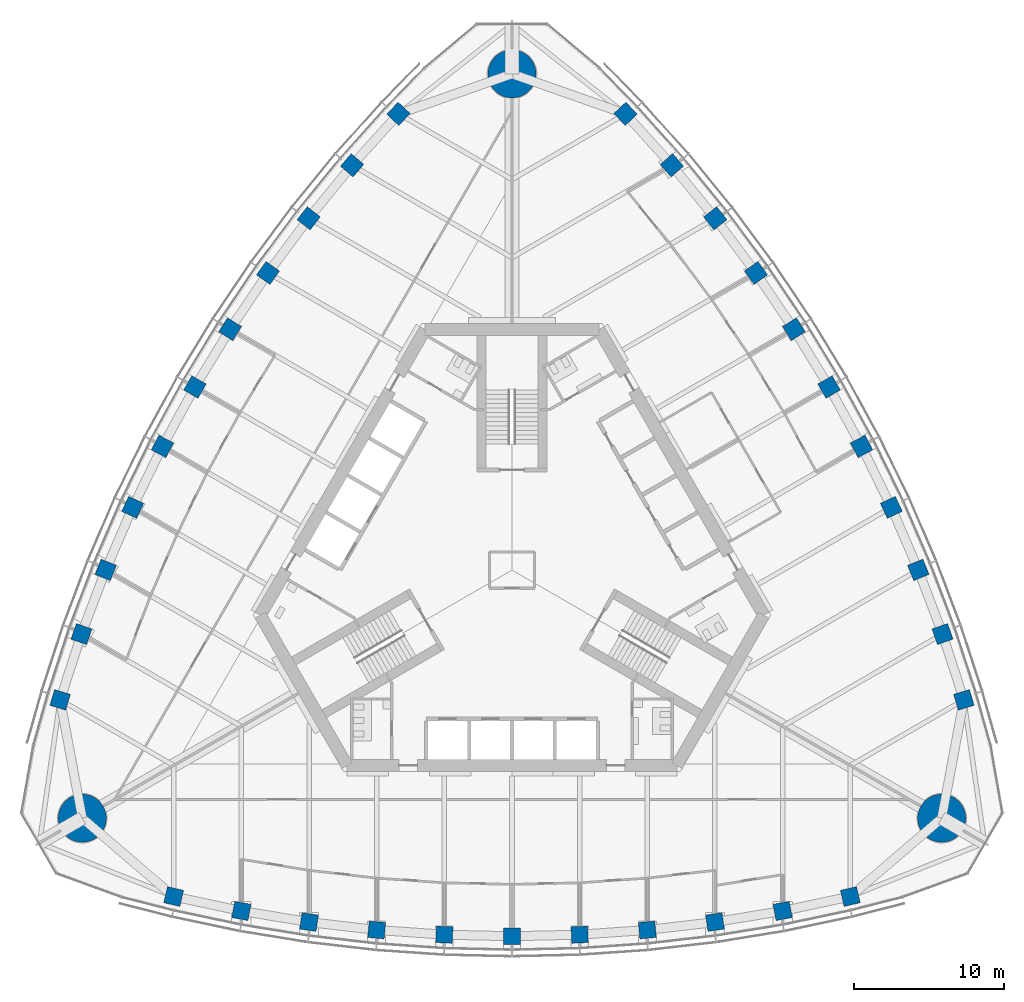
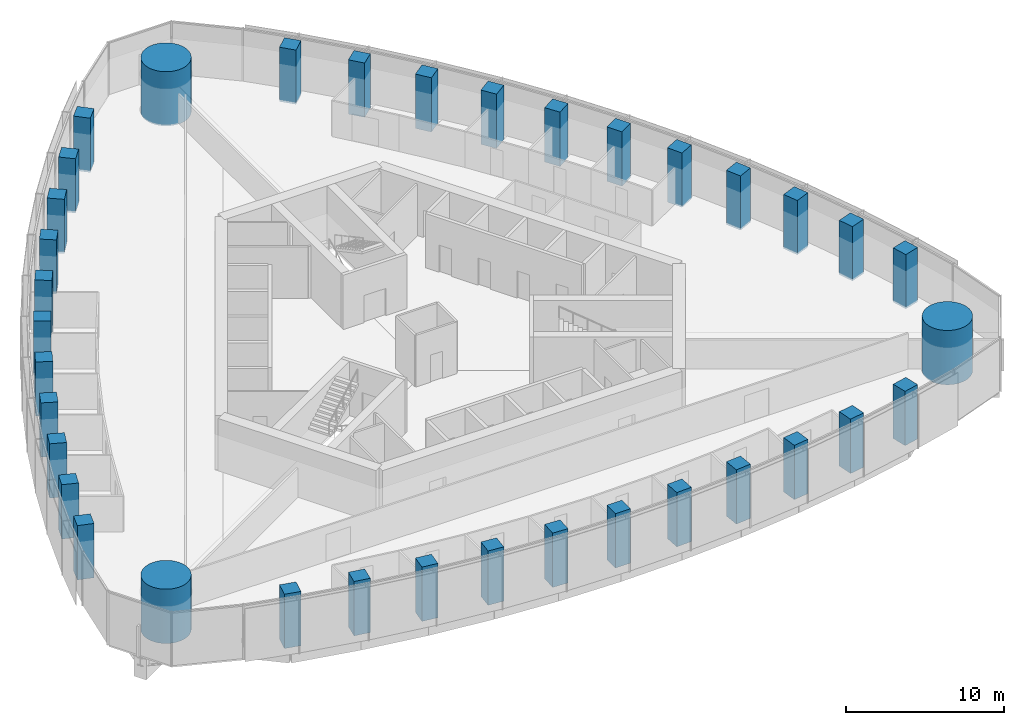
# One storey, part 1 of 20: 36 columns.
"""IFC4 building model written with IfcOpenShell, lengths in metres."""

from ifc_helpers import new_model, si_unit, direction, frame, origin, origin_2d, place, context, subcontext, project, spatial, rectangle, circle, extrude, material, material_profile, profile_set, type_object, element, save


model = new_model("IFC4")

# Units and contexts
model_context = context("Model", 3, precision=1e-05, world=origin(), true_north=direction((0.0, 1.0)))
body_context = subcontext(model_context, "Body", "Model", "MODEL_VIEW")
ifc_project = project(units=[si_unit("LENGTHUNIT", "METRE"), si_unit("AREAUNIT", "SQUARE_METRE"), si_unit("VOLUMEUNIT", "CUBIC_METRE"), si_unit("PLANEANGLEUNIT", "RADIAN"), si_unit("MASSUNIT", "GRAM", prefix="KILO")], contexts=[model_context])

# Site, building, storey
site_placement = place(None, origin())
site = spatial("IfcSite", under=ifc_project, at=site_placement, CompositionType="ELEMENT")
building_placement = place(site_placement, origin())
building = spatial("IfcBuilding", under=site, at=building_placement, Name="Trefoil Bronze Tower", CompositionType="ELEMENT")
storey_placement = place(building_placement, frame((0.0, 0.0, 219.10009765625)))
storey = spatial("IfcBuildingStorey", under=building, at=storey_placement, Name="L50", CompositionType="ELEMENT", Elevation=219.10009765625)

# Columns
ifc_material_1 = material(Name="Concrete B80", Category="concrete")
ifc_material_profile_1 = material_profile(ifc_material_1, circle(Radius=1.60009765625, at=origin_2d()), Name="RC D3200")
ifc_profile_set_1 = profile_set([ifc_material_profile_1], Name="Concrete B80")
column_type_1 = type_object("IfcColumnType", Name="Mega column RC D3200", PredefinedType="COLUMN", material=ifc_profile_set_1)
for number, where, z_axis, x_axis, name in (
    (1, (28.578857421875, -16.5, 0.0), (0.0, 0.0, 1.0), (1.0, 0.0, 0.0), "Mega column K1 L50"),
    (2, (0.0, 33.0, 0.0), (0.0, 0.0, 1.0), (1.0, 0.0, 0.0), "Mega column K2 L50"),
    (3, (-28.578857421875, -16.5, 0.0), (0.0, 0.0, 1.0), (1.0, 0.0, 0.0), "Mega column K3 L50"),
):
    element("IfcColumn", number, at=place(storey_placement, frame(where, z_axis=z_axis, x_axis=x_axis)), inside=storey, type_object=column_type_1, Name=name, PredefinedType="COLUMN", context=body_context, shape_type="SweptSolid", body=[
        extrude(circle(Radius=1.60009765625, at=origin_2d()), origin(), (0.0, 0.0, 1.0), 4.199951171875),
    ])
ifc_material_2 = material(Name="Concrete B80", Category="concrete")
ifc_material_profile_2 = material_profile(ifc_material_2, rectangle(XDim=1.10009765625, YDim=1.10009765625, at=origin_2d()), Name="RC 1100x1100")
ifc_profile_set_2 = profile_set([ifc_material_profile_2], Name="Concrete B80")
column_type_2 = type_object("IfcColumnType", Name="Tube column RC 1100x1100", PredefinedType="COLUMN", material=ifc_profile_set_2)
for number, where, z_axis, x_axis, name in (
    (4, (-22.5, -21.71044921875, 0.0), (0.0, 0.0, 1.0), (0.973875487093, -0.227082662569, 0.0), "Tube column F1/-5 L50"),
    (5, (-18.0, -22.6689453125, 0.0), (0.0, 0.0, 1.0), (0.982958917767, -0.183825368167, 0.0), "Tube column F1/-4 L50"),
    (6, (-13.5, -23.408447265625, 0.0), (0.0, 0.0, 1.0), (0.990450627582, -0.137867887204, 0.0), "Tube column F1/-3 L50"),
    (7, (-9.0, -23.932861328125, 0.0), (0.0, 0.0, 1.0), (0.995767189263, -0.091911396394, 0.0), "Tube column F1/-2 L50"),
    (8, (-4.5, -24.246337890625, 0.0), (0.0, 0.0, 1.0), (0.998943485952, -0.045955542372, 0.0), "Tube column F1/-1 L50"),
    (9, (0.0, -24.3505859375, 0.0), (0.0, 0.0, 1.0), (1.0, 0.0, 0.0), "Tube column F1/+0 L50"),
    (10, (4.5, -24.246337890625, 0.0), (0.0, 0.0, 1.0), (0.998943485952, 0.045955542372, 0.0), "Tube column F1/+1 L50"),
    (11, (9.0, -23.932861328125, 0.0), (0.0, 0.0, 1.0), (0.995767189263, 0.091911396394, 0.0), "Tube column F1/+2 L50"),
    (12, (13.5, -23.408447265625, 0.0), (0.0, 0.0, 1.0), (0.990450627582, 0.137867887204, 0.0), "Tube column F1/+3 L50"),
    (13, (18.0, -22.6689453125, 0.0), (0.0, 0.0, 1.0), (0.982958917767, 0.183825368167, 0.0), "Tube column F1/+4 L50"),
    (14, (22.5, -21.71044921875, 0.0), (0.0, 0.0, 1.0), (0.973875487093, 0.227082662569, 0.0), "Tube column F1/+5 L50"),
    (15, (30.052001953125, -8.63037109375, 0.0), (0.0, 0.0, 1.0), (-0.290278389002, 0.95694224323, 0.0), "Tube column F2/-5 L50"),
    (16, (28.632080078125, -4.25390625, 0.0), (0.0, 0.0, 1.0), (-0.332282020191, 0.943180077746, 0.0), "Tube column F2/-4 L50"),
    (17, (27.022216796875, 0.012939453125, 0.0), (0.0, 0.0, 1.0), (-0.375828221106, 0.926689348282, 0.0), "Tube column F2/-3 L50"),
    (18, (25.2265625, 4.17236328125, 0.0), (0.0, 0.0, 1.0), (-0.418285990457, 0.908315380354, 0.0), "Tube column F2/-2 L50"),
    (19, (23.248046875, 8.22607421875, 0.0), (0.0, 0.0, 1.0), (-0.459673075837, 0.888088206965, 0.0), "Tube column F2/-1 L50"),
    (20, (21.08837890625, 12.17529296875, 0.0), (0.0, 0.0, 1.0), (-0.5, 0.866025403784, 0.0), "Tube column F2/+0 L50"),
    (21, (18.748046875, 16.020263671875, 0.0), (0.0, 0.0, 1.0), (-0.539270410114, 0.842132664593, 0.0), "Tube column F2/+1 L50"),
    (22, (16.2265625, 19.7607421875, 0.0), (0.0, 0.0, 1.0), (-0.577481198806, 0.81640398396, 0.0), "Tube column F2/+2 L50"),
    (23, (13.522216796875, 23.3955078125, 0.0), (0.0, 0.0, 1.0), (-0.614622406476, 0.788821461078, 0.0), "Tube column F2/+3 L50"),
    (24, (10.632080078125, 26.923095703125, 0.0), (0.0, 0.0, 1.0), (-0.650676897576, 0.75935470958, 0.0), "Tube column F2/+4 L50"),
    (25, (7.552001953125, 30.3408203125, 0.0), (0.0, 0.0, 1.0), (-0.683597098091, 0.729859580661, 0.0), "Tube column F2/+5 L50"),
    (26, (-7.552001953125, 30.3408203125, 0.0), (0.0, 0.0, 1.0), (-0.683597098091, -0.729859580661, 0.0), "Tube column F3/-5 L50"),
    (27, (-10.632080078125, 26.923095703125, 0.0), (0.0, 0.0, 1.0), (-0.650676897576, -0.75935470958, 0.0), "Tube column F3/-4 L50"),
    (28, (-13.522216796875, 23.3955078125, 0.0), (0.0, 0.0, 1.0), (-0.614622406476, -0.788821461078, 0.0), "Tube column F3/-3 L50"),
    (29, (-16.2265625, 19.7607421875, 0.0), (0.0, 0.0, 1.0), (-0.577481198806, -0.81640398396, 0.0), "Tube column F3/-2 L50"),
    (30, (-18.748046875, 16.020263671875, 0.0), (0.0, 0.0, 1.0), (-0.539270410114, -0.842132664593, 0.0), "Tube column F3/-1 L50"),
    (31, (-21.08837890625, 12.17529296875, 0.0), (0.0, 0.0, 1.0), (-0.5, -0.866025403784, 0.0), "Tube column F3/+0 L50"),
    (32, (-23.248046875, 8.22607421875, 0.0), (0.0, 0.0, 1.0), (-0.459673075837, -0.888088206965, 0.0), "Tube column F3/+1 L50"),
    (33, (-25.2265625, 4.17236328125, 0.0), (0.0, 0.0, 1.0), (-0.418285990457, -0.908315380354, 0.0), "Tube column F3/+2 L50"),
    (34, (-27.022216796875, 0.012939453125, 0.0), (0.0, 0.0, 1.0), (-0.375828221106, -0.926689348282, 0.0), "Tube column F3/+3 L50"),
    (35, (-28.632080078125, -4.25390625, 0.0), (0.0, 0.0, 1.0), (-0.332282020191, -0.943180077746, 0.0), "Tube column F3/+4 L50"),
    (36, (-30.052001953125, -8.63037109375, 0.0), (0.0, 0.0, 1.0), (-0.290278389002, -0.95694224323, 0.0), "Tube column F3/+5 L50"),
):
    element("IfcColumn", number, at=place(storey_placement, frame(where, z_axis=z_axis, x_axis=x_axis)), inside=storey, type_object=column_type_2, Name=name, PredefinedType="COLUMN", context=body_context, shape_type="SweptSolid", body=[
        extrude(rectangle(XDim=1.10009765625, YDim=1.10009765625, at=origin_2d()), origin(), (0.0, 0.0, 1.0), 4.199951171875),
    ])

save(model, "model.ifc")
